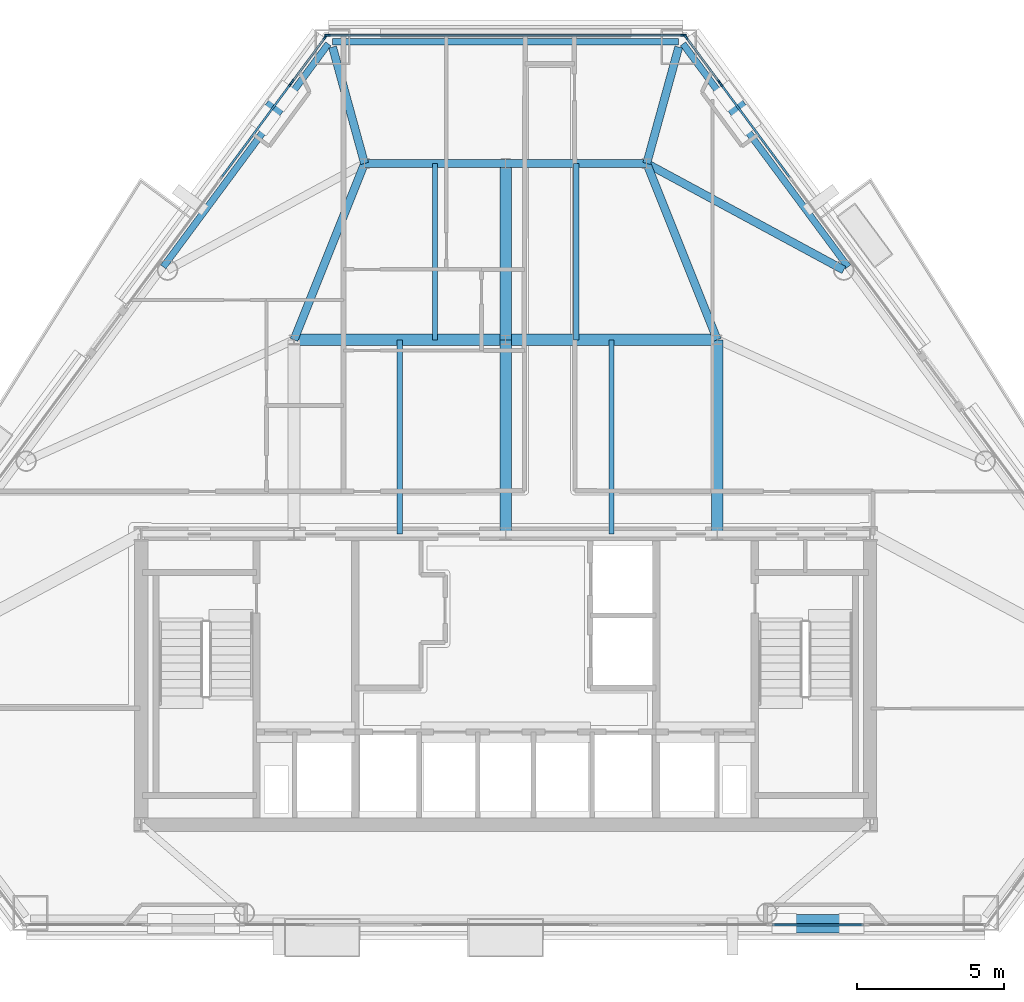
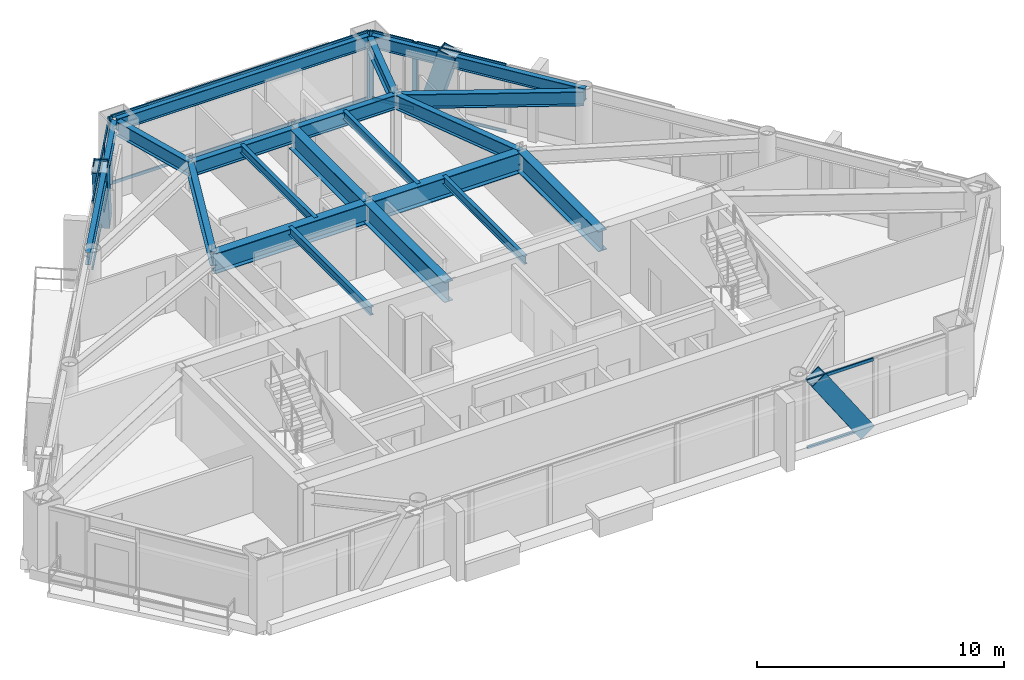
# One storey, part 5 of 13: 23 members, 19 beams, 6 elements without a shape of their own.
"""IFC4 building model written with IfcOpenShell, lengths in metres."""

from ifc_helpers import new_model, si_unit, direction, frame, origin, origin_2d, place, context, subcontext, project, spatial, rectangle, hollow_rectangle, i_section, extrude, material, layer, layer_set, material_profile, profile_set, type_object, element, aggregate, save


model = new_model("IFC4")

# Units and contexts
model_context = context("Model", 3, precision=1e-05, world=origin(), true_north=direction((0.0, 1.0)))
body_context = subcontext(model_context, "Body", "Model", "MODEL_VIEW")
ifc_project = project(units=[si_unit("LENGTHUNIT", "METRE"), si_unit("AREAUNIT", "SQUARE_METRE"), si_unit("VOLUMEUNIT", "CUBIC_METRE"), si_unit("PLANEANGLEUNIT", "RADIAN"), si_unit("MASSUNIT", "GRAM", prefix="KILO")], contexts=[model_context])

# Site, building, storey
site_placement = place(None, origin())
site = spatial("IfcSite", under=ifc_project, at=site_placement, CompositionType="ELEMENT")
building_placement = place(site_placement, origin())
building = spatial("IfcBuilding", under=site, at=building_placement, Name="Talgorran Terracotta Tower", CompositionType="ELEMENT")
storey_placement = place(building_placement, frame((0.0, 0.0, 99.60009765625)))
storey = spatial("IfcBuildingStorey", under=building, at=storey_placement, Name="L25", CompositionType="ELEMENT", Elevation=99.60009765625)

# Beams
ifc_material_1 = material(Name="Steel Grade 350 (350L0)", Category="steel")
ifc_material_profile_1 = material_profile(ifc_material_1, i_section(OverallWidth=0.39990234375, OverallDepth=1.0, WebThickness=0.01611328125, FlangeThickness=0.031005859375, at=origin_2d()), Name="1000WB296")
ifc_profile_set_1 = profile_set([ifc_material_profile_1], Name="Steel Grade 350 (350L0)")
beam_type_1 = type_object("IfcBeamType", Name="BM_1000WB296", PredefinedType="BEAM", material=ifc_profile_set_1)
for number, where, z_axis, x_axis, name in (
    (1, (0.0, -4.199951171875, 2.849853515625), (0.0, 1.0, 0.0), (-1.0, 0.0, 0.0), "L25 Floor Girder G02"),
    (2, (7.199951171875, -4.199951171875, 2.849853515625), (0.0, 1.0, 0.0), (-1.0, 0.0, 0.0), "L25 Floor Girder G03"),
):
    element("IfcBeam", number, at=place(storey_placement, frame(where, z_axis=z_axis, x_axis=x_axis)), inside=storey, type_object=beam_type_1, Name=name, PredefinedType="BEAM", context=body_context, shape_type="SweptSolid", body=[
        extrude(i_section(OverallWidth=0.39990234375, OverallDepth=1.0, WebThickness=0.01611328125, FlangeThickness=0.031005859375, at=origin_2d()), origin(), (0.0, 0.0, 1.0), 6.599853515625),
    ])
for number, where, z_axis, x_axis, name in (
    (3, (-7.199951171875, 2.39990234375, 2.849853515625), (1.0, 0.0, 0.0), (0.0, 1.0, 0.0), "L25 Floor Girder G04"),
    (4, (0.0, 2.39990234375, 2.849853515625), (1.0, 0.0, 0.0), (0.0, 1.0, 0.0), "L25 Floor Girder G05"),
):
    element("IfcBeam", number, at=place(storey_placement, frame(where, z_axis=z_axis, x_axis=x_axis)), inside=storey, type_object=beam_type_1, Name=name, PredefinedType="BEAM", context=body_context, shape_type="SweptSolid", body=[
        extrude(i_section(OverallWidth=0.39990234375, OverallDepth=1.0, WebThickness=0.01611328125, FlangeThickness=0.031005859375, at=origin_2d()), origin(), (0.0, 0.0, 1.0), 7.199951171875),
    ])
beam_1_placement = place(storey_placement, frame((0.0, 2.39990234375, 2.849853515625), z_axis=(0.0, 1.0, 0.0), x_axis=(-1.0, 0.0, 0.0)))
element("IfcBeam", 5, at=beam_1_placement, inside=storey, type_object=beam_type_1, Name="L25 Floor Girder G09", PredefinedType="BEAM", context=body_context, shape_type="SweptSolid", body=[
    extrude(i_section(OverallWidth=0.39990234375, OverallDepth=1.0, WebThickness=0.01611328125, FlangeThickness=0.031005859375, at=origin_2d()), origin(), (0.0, 0.0, 1.0), 6.0),
])
ifc_material_2 = material(Name="Steel S355 (300PLUS)", Category="steel")
ifc_material_profile_2 = material_profile(ifc_material_2, i_section(OverallWidth=0.27490234375, OverallDepth=0.7080078125, WebThickness=0.011962890625, FlangeThickness=0.02490234375, at=origin_2d()), Name="700WB173")
ifc_profile_set_2 = profile_set([ifc_material_profile_2], Name="Steel S355 (300PLUS)")
beam_type_2 = type_object("IfcBeamType", Name="BM_700WB173", PredefinedType="BEAM", material=ifc_profile_set_2)
for number, where, z_axis, x_axis, name in (
    (6, (-7.199951171875, 2.39990234375, 2.995849609375), (0.371377648723, 0.928481901832, 0.0), (-0.928481901832, 0.371377648723, 0.0), "L25 Floor Girder G08"),
    (7, (7.199951171875, 2.39990234375, 2.995849609375), (-0.371377648723, 0.928481901832, 0.0), (-0.928481901832, -0.371377648723, 0.0), "L25 Floor Girder G10"),
):
    element("IfcBeam", number, at=place(storey_placement, frame(where, z_axis=z_axis, x_axis=x_axis)), inside=storey, type_object=beam_type_2, Name=name, PredefinedType="BEAM", context=body_context, shape_type="SweptSolid", body=[
        extrude(i_section(OverallWidth=0.27490234375, OverallDepth=0.7080078125, WebThickness=0.011962890625, FlangeThickness=0.02490234375, at=origin_2d()), origin(), (0.0, 0.0, 1.0), 6.462158203125),
    ])
for number, where, z_axis, x_axis, name in (
    (8, (-4.800048828125, 8.39990234375, 2.995849609375), (1.0, 0.0, 0.0), (0.0, 1.0, 0.0), "L25 Floor Girder G11"),
    (9, (0.0, 8.39990234375, 2.995849609375), (1.0, 0.0, 0.0), (0.0, 1.0, 0.0), "L25 Floor Girder G12"),
):
    element("IfcBeam", number, at=place(storey_placement, frame(where, z_axis=z_axis, x_axis=x_axis)), inside=storey, type_object=beam_type_2, Name=name, PredefinedType="BEAM", context=body_context, shape_type="SweptSolid", body=[
        extrude(i_section(OverallWidth=0.27490234375, OverallDepth=0.7080078125, WebThickness=0.011962890625, FlangeThickness=0.02490234375, at=origin_2d()), origin(), (0.0, 0.0, 1.0), 4.800048828125),
    ])
beam_2_placement = place(storey_placement, frame((4.800048828125, 8.39990234375, 2.995849609375), z_axis=(0.879686234895, -0.475554548013, 0.0), x_axis=(0.475554548013, 0.879686234895, 0.0)))
element("IfcBeam", 10, at=beam_2_placement, inside=storey, type_object=beam_type_2, Name="L25 Floor Girder G14", PredefinedType="BEAM", context=body_context, shape_type="SweptSolid", body=[
    extrude(i_section(OverallWidth=0.27490234375, OverallDepth=0.7080078125, WebThickness=0.011962890625, FlangeThickness=0.02490234375, at=origin_2d()), origin(), (0.0, 0.0, 1.0), 7.62255859375),
])
for number, where, z_axis, x_axis, name in (
    (11, (-4.800048828125, 8.39990234375, 2.995849609375), (-0.265197906228, 0.964194000465, 0.0), (-0.964194000465, -0.265197906228, 0.0), "L25 Floor Girder G15"),
    (12, (4.800048828125, 8.39990234375, 2.995849609375), (0.265197906228, 0.964194000465, 0.0), (-0.964194000465, 0.265197906228, 0.0), "L25 Floor Girder G16"),
):
    element("IfcBeam", number, at=place(storey_placement, frame(where, z_axis=z_axis, x_axis=x_axis)), inside=storey, type_object=beam_type_2, Name=name, PredefinedType="BEAM", context=body_context, shape_type="SweptSolid", body=[
        extrude(i_section(OverallWidth=0.27490234375, OverallDepth=0.7080078125, WebThickness=0.011962890625, FlangeThickness=0.02490234375, at=origin_2d()), origin(), (0.0, 0.0, 1.0), 4.109619140625),
    ])
ifc_material_profile_3 = material_profile(ifc_material_2, i_section(OverallWidth=0.177734375, OverallDepth=0.406494140625, WebThickness=0.0078125, FlangeThickness=0.0126953125, at=origin_2d()), Name="410UB59.7")
ifc_profile_set_3 = profile_set([ifc_material_profile_3], Name="Steel S355 (300PLUS)")
beam_type_3 = type_object("IfcBeamType", Name="BM_JS_410UB60", PredefinedType="JOIST", material=ifc_profile_set_3)
for number, where, z_axis, x_axis, name in (
    (13, (-3.60009765625, -4.199951171875, 3.146728515625), (0.0, 1.0, 0.0), (-1.0, 0.0, 0.0), "L25 Secondary Joist J01"),
    (14, (3.60009765625, -4.199951171875, 3.146728515625), (0.0, 1.0, 0.0), (-1.0, 0.0, 0.0), "L25 Secondary Joist J02"),
):
    element("IfcBeam", number, at=place(storey_placement, frame(where, z_axis=z_axis, x_axis=x_axis)), inside=storey, type_object=beam_type_3, Name=name, PredefinedType="JOIST", context=body_context, shape_type="SweptSolid", body=[
        extrude(i_section(OverallWidth=0.177734375, OverallDepth=0.406494140625, WebThickness=0.0078125, FlangeThickness=0.0126953125, at=origin_2d()), origin(), (0.0, 0.0, 1.0), 6.599853515625),
    ])
for number, where, z_axis, x_axis, name in (
    (15, (-2.39990234375, 2.39990234375, 3.146728515625), (0.0, 1.0, 0.0), (-1.0, 0.0, 0.0), "L25 Secondary Joist J03"),
    (16, (2.39990234375, 2.39990234375, 3.146728515625), (0.0, 1.0, 0.0), (-1.0, 0.0, 0.0), "L25 Secondary Joist J04"),
):
    element("IfcBeam", number, at=place(storey_placement, frame(where, z_axis=z_axis, x_axis=x_axis)), inside=storey, type_object=beam_type_3, Name=name, PredefinedType="JOIST", context=body_context, shape_type="SweptSolid", body=[
        extrude(i_section(OverallWidth=0.177734375, OverallDepth=0.406494140625, WebThickness=0.0078125, FlangeThickness=0.0126953125, at=origin_2d()), origin(), (0.0, 0.0, 1.0), 6.0),
    ])
ifc_material_profile_4 = material_profile(ifc_material_2, i_section(OverallWidth=0.22900390625, OverallDepth=0.611572265625, WebThickness=0.011962890625, FlangeThickness=0.01953125, at=origin_2d()), Name="610UB125")
ifc_profile_set_4 = profile_set([ifc_material_profile_4], Name="Steel S355 (300PLUS)")
beam_type_4 = type_object("IfcBeamType", Name="BM_SP_610UB125", PredefinedType="SPANDREL", material=ifc_profile_set_4)
beam_3_placement = place(storey_placement, frame((11.650146484375, 4.882080078125, 3.044189453125), z_axis=(-0.594910188286, 0.80379217953, 0.0), x_axis=(-0.80379217953, -0.594910188286, 0.0)))
element("IfcBeam", 17, at=beam_3_placement, inside=storey, type_object=beam_type_4, Name="L25 Perimeter Spandrel Beam FC4-MC5", PredefinedType="SPANDREL", context=body_context, shape_type="SweptSolid", body=[
    extrude(i_section(OverallWidth=0.22900390625, OverallDepth=0.611572265625, WebThickness=0.011962890625, FlangeThickness=0.01953125, at=origin_2d()), origin(), (0.0, 0.0, 1.0), 9.439208984375),
])
beam_4_placement = place(storey_placement, frame((5.889892578125, 12.542236328125, 3.044189453125), z_axis=(-1.0, 0.0, 0.0), x_axis=(0.0, -1.0, 0.0)))
element("IfcBeam", 18, at=beam_4_placement, inside=storey, type_object=beam_type_4, Name="L25 Perimeter Spandrel Beam MC5-MC6", PredefinedType="SPANDREL", context=body_context, shape_type="SweptSolid", body=[
    extrude(i_section(OverallWidth=0.22900390625, OverallDepth=0.611572265625, WebThickness=0.011962890625, FlangeThickness=0.01953125, at=origin_2d()), origin(), (0.0, 0.0, 1.0), 11.77978515625),
])
beam_5_placement = place(storey_placement, frame((-6.03466796875, 12.46923828125, 3.044189453125), z_axis=(-0.594910188286, -0.80379217953, 0.0), x_axis=(0.80379217953, -0.594910188286, 0.0)))
element("IfcBeam", 19, at=beam_5_placement, inside=storey, type_object=beam_type_4, Name="L25 Perimeter Spandrel Beam MC6-FC5", PredefinedType="SPANDREL", context=body_context, shape_type="SweptSolid", body=[
    extrude(i_section(OverallWidth=0.22900390625, OverallDepth=0.611572265625, WebThickness=0.011962890625, FlangeThickness=0.01953125, at=origin_2d()), origin(), (0.0, 0.0, 1.0), 9.439208984375),
])

# Members
ifc_material_profile_5 = material_profile(ifc_material_1, hollow_rectangle(XDim=0.6201171875, YDim=0.780029296875, WallThickness=0.0419921875, at=origin_2d()), Name="WBOX780X620X42")
ifc_profile_set_5 = profile_set([ifc_material_profile_5], Name="Steel Grade 350 (350L0)")
member_type_1 = type_object("IfcMemberType", Name="MB_MEGA_780", PredefinedType="BRACE", material=ifc_profile_set_5)
member_1_placement = place(storey_placement, frame((11.77099609375, -17.4677734375, -0.025146484375), z_axis=(-0.55841972625, 0.0, 0.829558562932), x_axis=(0.0, -1.0, 0.0)))
element("IfcMember", 20, at=member_1_placement, inside=storey, type_object=member_type_1, Name="L25 Exterior Face Mega-Brace MB-2 (SEF)", PredefinedType="BRACE", context=body_context, shape_type="SweptSolid", body=[
    extrude(hollow_rectangle(XDim=0.6201171875, YDim=0.780029296875, WallThickness=0.0419921875, at=origin_2d()), origin(), (0.0, 0.0, 1.0), 4.0986328125),
])
for number, where, z_axis, x_axis, name in (
    (21, (7.572021484375, 10.694580078125, -0.025146484375), (0.170090432031, -0.229745935499, 0.958272429977), (0.803710671391, 0.595020299395, 0.0), "L25 Exterior Face Mega-Brace MB-2 (NEU)"),
    (22, (-7.572021484375, 10.694580078125, -0.025146484375), (-0.170090432031, -0.229745935499, 0.958272429977), (0.803710671391, -0.595020299395, 0.0), "L25 Exterior Face Mega-Brace MB-2 (NWU)"),
):
    element("IfcMember", number, at=place(storey_placement, frame(where, z_axis=z_axis, x_axis=x_axis)), inside=storey, type_object=member_type_1, Name=name, PredefinedType="BRACE", context=body_context, shape_type="SweptSolid", body=[
        extrude(hollow_rectangle(XDim=0.6201171875, YDim=0.780029296875, WallThickness=0.0419921875, at=origin_2d()), origin(), (0.0, 0.0, 1.0), 3.548095703125),
    ])

# Curtain wall, member
ifc_material_3 = material(Name="Unitised Low-E Double Glazing", Category="glass")
ifc_layer = layer(ifc_material_3, 0.199951171875, Name="CW_SYS2_RES_LOW")
ifc_layer_set = layer_set([ifc_layer], Name="Unitised Low-E Double Glazing")
curtain_wall_type = type_object("IfcCurtainWallType", Name="CW_SYS2_RES_LOW", PredefinedType="NOTDEFINED", material=ifc_layer_set)
curtain_wall_1_placement = place(storey_placement, origin())
curtain_wall_1 = element("IfcCurtainWall", 23, at=curtain_wall_1_placement, inside=storey, type_object=curtain_wall_type, Name="CW-L25-F41B", PredefinedType="NOTDEFINED")
ifc_material_4 = material(Name="Architectural Aluminium 6063-T6", Category="aluminium")
ifc_material_profile_6 = material_profile(ifc_material_4, rectangle(XDim=0.06494140625, YDim=0.18505859375, at=origin_2d()), Name="CWM65X185")
ifc_profile_set_6 = profile_set([ifc_material_profile_6], Name="Architectural Aluminium 6063-T6")
member_type_2 = type_object("IfcMemberType", Name="MUL_65X185", PredefinedType="MULLION", material=ifc_profile_set_6)
member_2_placement = place(storey_placement, frame((7.31494140625, 11.109375, 0.0), z_axis=(0.0, 0.0, 1.0), x_axis=(-0.803791980442, -0.594910457276, 0.0)))
member_2 = element("IfcMember", 24, at=member_2_placement, type_object=member_type_2, Name="CW-L25-41B mullion 2", PredefinedType="MULLION", context=body_context, shape_type="SweptSolid", body=[
    extrude(rectangle(XDim=0.06494140625, YDim=0.18505859375, at=origin_2d()), origin(), (0.0, 0.0, 1.0), 3.349853515625),
])

# Curtain wall, members
curtain_wall_2_placement = place(storey_placement, origin())
curtain_wall_2 = element("IfcCurtainWall", 25, at=curtain_wall_2_placement, inside=storey, type_object=curtain_wall_type, Name="CW-L25-F41C", PredefinedType="NOTDEFINED")
member_3_placement = place(storey_placement, frame((7.270263671875, 11.16943359375, 0.0), z_axis=(0.0, 0.0, 1.0), x_axis=(-0.803789572003, -0.594913711339, 0.0)))
member_3 = element("IfcMember", 26, at=member_3_placement, type_object=member_type_2, Name="CW-L25-41C mullion 1", PredefinedType="MULLION", context=body_context, shape_type="SweptSolid", body=[
    extrude(rectangle(XDim=0.06494140625, YDim=0.18505859375, at=origin_2d()), origin(), (0.0, 0.0, 1.0), 3.349853515625),
])
member_4_placement = place(storey_placement, frame((6.134765625, 12.703857421875, 0.0), z_axis=(0.0, 0.0, 1.0), x_axis=(-0.803789572003, -0.594913711339, 0.0)))
member_4 = element("IfcMember", 27, at=member_4_placement, type_object=member_type_2, Name="CW-L25-41C mullion 2", PredefinedType="MULLION", context=body_context, shape_type="SweptSolid", body=[
    extrude(rectangle(XDim=0.06494140625, YDim=0.18505859375, at=origin_2d()), origin(), (0.0, 0.0, 1.0), 3.349853515625),
])

curtain_wall_3_placement = place(storey_placement, origin())
curtain_wall_3 = element("IfcCurtainWall", 28, at=curtain_wall_3_placement, inside=storey, type_object=curtain_wall_type, Name="CW-L25-F4", PredefinedType="NOTDEFINED")
member_5_placement = place(storey_placement, frame((6.05908203125, 12.76220703125, 0.0), z_axis=(0.0, 0.0, 1.0), x_axis=(0.0, -1.0, 0.0)))
member_5 = element("IfcMember", 29, at=member_5_placement, type_object=member_type_2, Name="CW-L25-4 mullion 1", PredefinedType="MULLION", context=body_context, shape_type="SweptSolid", body=[
    extrude(rectangle(XDim=0.06494140625, YDim=0.18505859375, at=origin_2d()), origin(), (0.0, 0.0, 1.0), 3.349853515625),
])
member_6_placement = place(storey_placement, frame((-6.05908203125, 12.76220703125, 0.0), z_axis=(0.0, 0.0, 1.0), x_axis=(0.0, -1.0, 0.0)))
member_6 = element("IfcMember", 30, at=member_6_placement, type_object=member_type_2, Name="CW-L25-4 mullion 2", PredefinedType="MULLION", context=body_context, shape_type="SweptSolid", body=[
    extrude(rectangle(XDim=0.06494140625, YDim=0.18505859375, at=origin_2d()), origin(), (0.0, 0.0, 1.0), 3.349853515625),
])

curtain_wall_4_placement = place(storey_placement, origin())
curtain_wall_4 = element("IfcCurtainWall", 31, at=curtain_wall_4_placement, inside=storey, type_object=curtain_wall_type, Name="CW-L25-F60", PredefinedType="NOTDEFINED")
member_7_placement = place(storey_placement, frame((-6.134765625, 12.703857421875, 0.0), z_axis=(0.0, 0.0, 1.0), x_axis=(0.803789572003, -0.594913711339, 0.0)))
member_7 = element("IfcMember", 32, at=member_7_placement, type_object=member_type_2, Name="CW-L25-60 mullion 1", PredefinedType="MULLION", context=body_context, shape_type="SweptSolid", body=[
    extrude(rectangle(XDim=0.06494140625, YDim=0.18505859375, at=origin_2d()), origin(), (0.0, 0.0, 1.0), 3.349853515625),
])
member_8_placement = place(storey_placement, frame((-7.270263671875, 11.16943359375, 0.0), z_axis=(0.0, 0.0, 1.0), x_axis=(0.803789572003, -0.594913711339, 0.0)))
member_8 = element("IfcMember", 33, at=member_8_placement, type_object=member_type_2, Name="CW-L25-60 mullion 2", PredefinedType="MULLION", context=body_context, shape_type="SweptSolid", body=[
    extrude(rectangle(XDim=0.06494140625, YDim=0.18505859375, at=origin_2d()), origin(), (0.0, 0.0, 1.0), 3.349853515625),
])

# Curtain wall, member
curtain_wall_5_placement = place(storey_placement, origin())
curtain_wall_5 = element("IfcCurtainWall", 34, at=curtain_wall_5_placement, inside=storey, type_object=curtain_wall_type, Name="CW-L25-F60B", PredefinedType="NOTDEFINED")
member_9_placement = place(storey_placement, frame((-7.31494140625, 11.109375, 0.0), z_axis=(0.0, 0.0, 1.0), x_axis=(0.803791980442, -0.594910457276, 0.0)))
member_9 = element("IfcMember", 35, at=member_9_placement, type_object=member_type_2, Name="CW-L25-60B mullion 1", PredefinedType="MULLION", context=body_context, shape_type="SweptSolid", body=[
    extrude(rectangle(XDim=0.06494140625, YDim=0.18505859375, at=origin_2d()), origin(), (0.0, 0.0, 1.0), 3.349853515625),
])

# Curtain wall, members
curtain_wall_6_placement = place(storey_placement, origin())
curtain_wall_6 = element("IfcCurtainWall", 36, at=curtain_wall_6_placement, inside=storey, type_object=curtain_wall_type, Name="CW-L25-F1H", PredefinedType="NOTDEFINED")
ifc_material_profile_7 = material_profile(ifc_material_4, rectangle(XDim=0.06494140625, YDim=0.14990234375, at=origin_2d()), Name="CWT65X150")
ifc_profile_set_7 = profile_set([ifc_material_profile_7], Name="Architectural Aluminium 6063-T6")
member_type_3 = type_object("IfcMemberType", Name="TRN_65X150", PredefinedType="USERDEFINED", material=ifc_profile_set_7)
member_10_placement = place(storey_placement, frame((9.07861328125, -17.5078125, 0.032470703125), z_axis=(1.0, 0.0, 0.0), x_axis=(0.0, 1.0, 0.0)))
member_10 = element("IfcMember", 37, at=member_10_placement, type_object=member_type_3, Name="CW-L25-1H transom 1.1", ObjectType="TRANSOM", PredefinedType="USERDEFINED", context=body_context, shape_type="SweptSolid", body=[
    extrude(rectangle(XDim=0.06494140625, YDim=0.14990234375, at=origin_2d()), origin(), (0.0, 0.0, 1.0), 3.095703125),
])
member_11_placement = place(storey_placement, frame((9.07861328125, -17.5078125, 3.3173828125), z_axis=(1.0, 0.0, 0.0), x_axis=(0.0, 1.0, 0.0)))
member_11 = element("IfcMember", 38, at=member_11_placement, type_object=member_type_3, Name="CW-L25-1H transom 1.2", ObjectType="TRANSOM", PredefinedType="USERDEFINED", context=body_context, shape_type="SweptSolid", body=[
    extrude(rectangle(XDim=0.06494140625, YDim=0.14990234375, at=origin_2d()), origin(), (0.0, 0.0, 1.0), 3.095703125),
])
aggregate(curtain_wall_6, [member_10, member_11])

# Member
member_12_placement = place(storey_placement, frame((9.6845703125, 7.907470703125, 0.032470703125), z_axis=(-0.594886127449, 0.803809987104, 0.0), x_axis=(-0.803809987104, -0.594886127449, 0.0)))
member_12 = element("IfcMember", 39, at=member_12_placement, type_object=member_type_3, Name="CW-L25-41B transom 1.1", ObjectType="TRANSOM", PredefinedType="USERDEFINED", context=body_context, shape_type="SweptSolid", body=[
    extrude(rectangle(XDim=0.06494140625, YDim=0.14990234375, at=origin_2d()), origin(), (0.0, 0.0, 1.0), 3.950927734375),
])

member_13_placement = place(storey_placement, frame((9.6845703125, 7.907470703125, 3.3173828125), z_axis=(-0.594886127449, 0.803809987104, 0.0), x_axis=(-0.803809987104, -0.594886127449, 0.0)))
member_13 = element("IfcMember", 40, at=member_13_placement, type_object=member_type_3, Name="CW-L25-41B transom 1.2", ObjectType="TRANSOM", PredefinedType="USERDEFINED", context=body_context, shape_type="SweptSolid", body=[
    extrude(rectangle(XDim=0.06494140625, YDim=0.14990234375, at=origin_2d()), origin(), (0.0, 0.0, 1.0), 3.950927734375),
])

aggregate(curtain_wall_1, [member_2, member_12, member_13])

member_14_placement = place(storey_placement, frame((7.2509765625, 11.195556640625, 0.032470703125), z_axis=(-0.594882359142, 0.803812775951, 0.0), x_axis=(-0.803812775951, -0.594882359142, 0.0)))
member_14 = element("IfcMember", 41, at=member_14_placement, type_object=member_type_3, Name="CW-L25-41C transom 1.1", ObjectType="TRANSOM", PredefinedType="USERDEFINED", context=body_context, shape_type="SweptSolid", body=[
    extrude(rectangle(XDim=0.06494140625, YDim=0.14990234375, at=origin_2d()), origin(), (0.0, 0.0, 1.0), 1.843994140625),
])

member_15_placement = place(storey_placement, frame((7.2509765625, 11.195556640625, 3.3173828125), z_axis=(-0.594882359142, 0.803812775951, 0.0), x_axis=(-0.803812775951, -0.594882359142, 0.0)))
member_15 = element("IfcMember", 42, at=member_15_placement, type_object=member_type_3, Name="CW-L25-41C transom 1.2", ObjectType="TRANSOM", PredefinedType="USERDEFINED", context=body_context, shape_type="SweptSolid", body=[
    extrude(rectangle(XDim=0.06494140625, YDim=0.14990234375, at=origin_2d()), origin(), (0.0, 0.0, 1.0), 1.843994140625),
])

aggregate(curtain_wall_2, [member_3, member_4, member_14, member_15])

member_16_placement = place(storey_placement, frame((6.026611328125, 12.76220703125, 0.032470703125), z_axis=(-1.0, 0.0, 0.0), x_axis=(0.0, -1.0, 0.0)))
member_16 = element("IfcMember", 43, at=member_16_placement, type_object=member_type_3, Name="CW-L25-4 transom 1.1", ObjectType="TRANSOM", PredefinedType="USERDEFINED", context=body_context, shape_type="SweptSolid", body=[
    extrude(rectangle(XDim=0.06494140625, YDim=0.14990234375, at=origin_2d()), origin(), (0.0, 0.0, 1.0), 12.05322265625),
])

member_17_placement = place(storey_placement, frame((6.026611328125, 12.76220703125, 3.3173828125), z_axis=(-1.0, 0.0, 0.0), x_axis=(0.0, -1.0, 0.0)))
member_17 = element("IfcMember", 44, at=member_17_placement, type_object=member_type_3, Name="CW-L25-4 transom 1.2", ObjectType="TRANSOM", PredefinedType="USERDEFINED", context=body_context, shape_type="SweptSolid", body=[
    extrude(rectangle(XDim=0.06494140625, YDim=0.14990234375, at=origin_2d()), origin(), (0.0, 0.0, 1.0), 12.05322265625),
])

aggregate(curtain_wall_3, [member_5, member_6, member_16, member_17])

member_18_placement = place(storey_placement, frame((-6.154052734375, 12.677734375, 0.032470703125), z_axis=(-0.594882359142, -0.803812775951, 0.0), x_axis=(0.803812775951, -0.594882359142, 0.0)))
member_18 = element("IfcMember", 45, at=member_18_placement, type_object=member_type_3, Name="CW-L25-60 transom 1.1", ObjectType="TRANSOM", PredefinedType="USERDEFINED", context=body_context, shape_type="SweptSolid", body=[
    extrude(rectangle(XDim=0.06494140625, YDim=0.14990234375, at=origin_2d()), origin(), (0.0, 0.0, 1.0), 1.843994140625),
])

member_19_placement = place(storey_placement, frame((-6.154052734375, 12.677734375, 3.3173828125), z_axis=(-0.594882359142, -0.803812775951, 0.0), x_axis=(0.803812775951, -0.594882359142, 0.0)))
member_19 = element("IfcMember", 46, at=member_19_placement, type_object=member_type_3, Name="CW-L25-60 transom 1.2", ObjectType="TRANSOM", PredefinedType="USERDEFINED", context=body_context, shape_type="SweptSolid", body=[
    extrude(rectangle(XDim=0.06494140625, YDim=0.14990234375, at=origin_2d()), origin(), (0.0, 0.0, 1.0), 1.843994140625),
])

aggregate(curtain_wall_4, [member_7, member_8, member_18, member_19])

member_20_placement = place(storey_placement, frame((-7.334228515625, 11.083251953125, 0.032470703125), z_axis=(-0.594886127449, -0.803809987104, 0.0), x_axis=(0.803809987104, -0.594886127449, 0.0)))
member_20 = element("IfcMember", 47, at=member_20_placement, type_object=member_type_3, Name="CW-L25-60B transom 1.1", ObjectType="TRANSOM", PredefinedType="USERDEFINED", context=body_context, shape_type="SweptSolid", body=[
    extrude(rectangle(XDim=0.06494140625, YDim=0.14990234375, at=origin_2d()), origin(), (0.0, 0.0, 1.0), 3.950927734375),
])

member_21_placement = place(storey_placement, frame((-7.334228515625, 11.083251953125, 3.3173828125), z_axis=(-0.594886127449, -0.803809987104, 0.0), x_axis=(0.803809987104, -0.594886127449, 0.0)))
member_21 = element("IfcMember", 48, at=member_21_placement, type_object=member_type_3, Name="CW-L25-60B transom 1.2", ObjectType="TRANSOM", PredefinedType="USERDEFINED", context=body_context, shape_type="SweptSolid", body=[
    extrude(rectangle(XDim=0.06494140625, YDim=0.14990234375, at=origin_2d()), origin(), (0.0, 0.0, 1.0), 3.950927734375),
])

aggregate(curtain_wall_5, [member_9, member_20, member_21])

save(model, "model.ifc")
